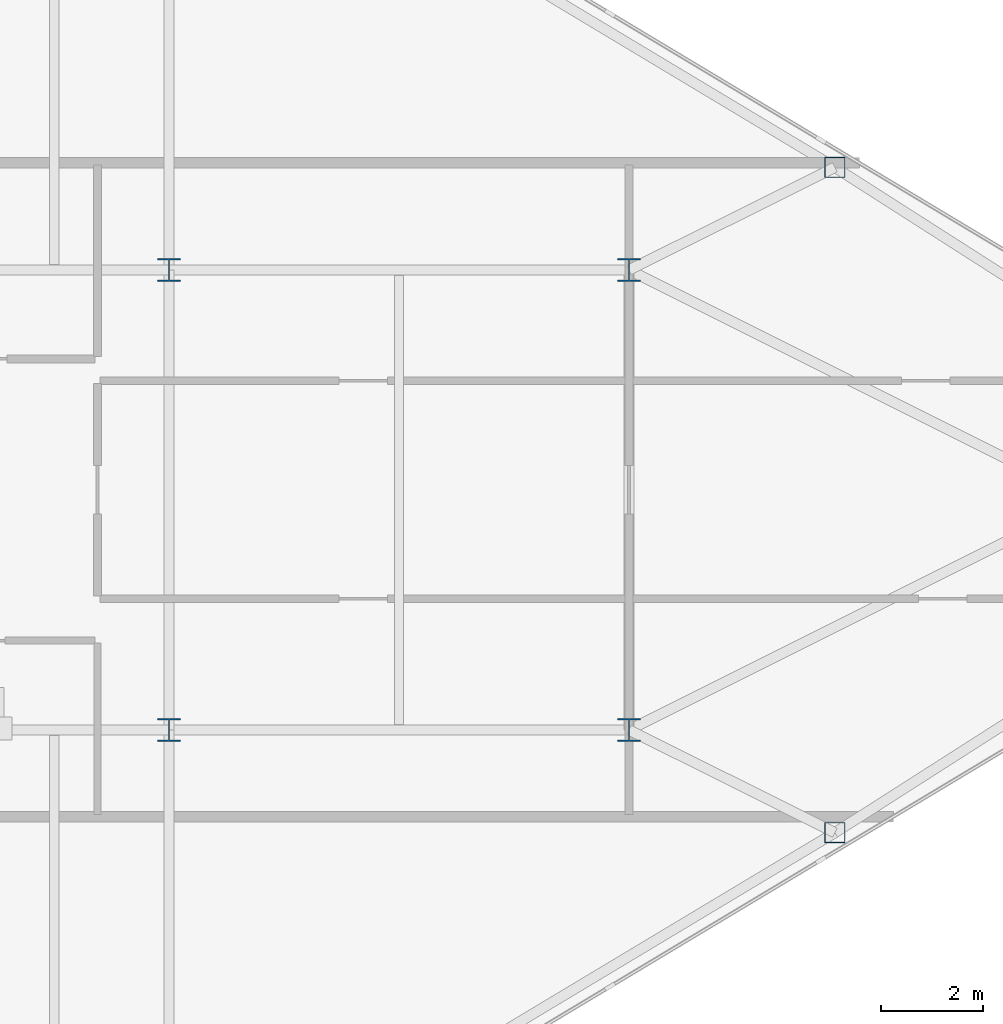
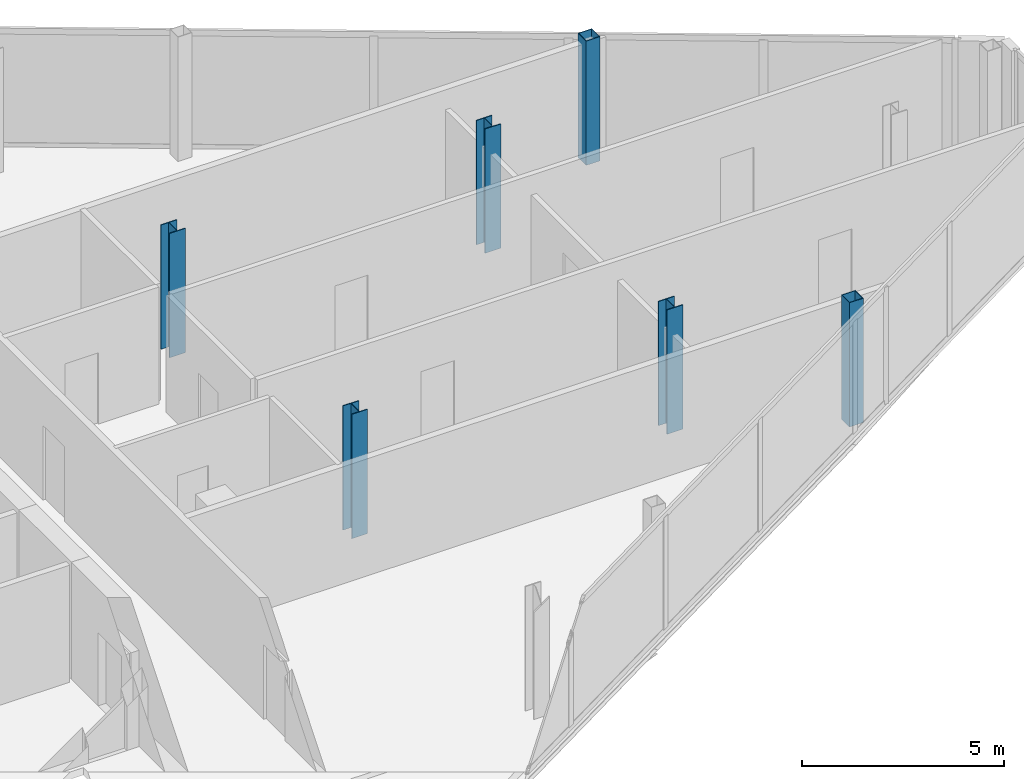
# One storey, part 5 of 29: 6 columns.
"""IFC4 building model written with IfcOpenShell, lengths in metres."""

from ifc_helpers import new_model, si_unit, direction, frame, origin, origin_2d, place, context, subcontext, project, spatial, hollow_rectangle, i_section, extrude, source, transform, mapped, material, material_profile, profile_set, type_object, type_shapes, element, save


model = new_model("IFC4")

# Units and contexts
model_context = context("Model", 3, precision=1e-05, world=origin(), true_north=direction((0.0, 1.0)))
body_context = subcontext(model_context, "Body", "Model", "MODEL_VIEW")
ifc_project = project(units=[si_unit("LENGTHUNIT", "METRE"), si_unit("AREAUNIT", "SQUARE_METRE"), si_unit("VOLUMEUNIT", "CUBIC_METRE"), si_unit("PLANEANGLEUNIT", "RADIAN"), si_unit("MASSUNIT", "GRAM", prefix="KILO")], contexts=[model_context])

# Site, building, storey
site_placement = place(None, origin())
site = spatial("IfcSite", under=ifc_project, at=site_placement, CompositionType="ELEMENT")
building_placement = place(site_placement, origin())
building = spatial("IfcBuilding", under=site, at=building_placement, Name="Seokmaru Belvedere", CompositionType="ELEMENT")
storey_placement = place(building_placement, frame((0.0, 0.0, 239.39990234375)))
storey = spatial("IfcBuildingStorey", under=building, at=storey_placement, Name="L63", CompositionType="ELEMENT", Elevation=239.39990234375)

# Columns
ifc_material = material(Name="Steel SM355 (355 MPa)", Category="steel")
ifc_material_profile_1 = material_profile(ifc_material, i_section(OverallWidth=0.449951171875, OverallDepth=0.449951171875, WebThickness=0.01611328125, FlangeThickness=0.02490234375, at=origin_2d()), Name="H-450x450x16x25")
ifc_profile_set_1 = profile_set([ifc_material_profile_1], Name="Steel SM355 (355 MPa)")
column_type_1 = type_object("IfcColumnType", Name="Sky-Gate Column H-450", PredefinedType="COLUMN", material=ifc_profile_set_1)
shared_shape_1 = source(origin(), body_context, "Body", "SweptSolid", [
    extrude(i_section(OverallWidth=0.449951171875, OverallDepth=0.449951171875, WebThickness=0.01611328125, FlangeThickness=0.02490234375, at=origin_2d()), origin(), (0.0, 0.0, 1.0), 3.75),
])
type_shapes(column_type_1, [shared_shape_1])
for number, where, z_axis, x_axis, name in (
    (1, (45.5, -4.5, 0.0), (0.0, 0.0, 1.0), (1.0, 0.0, 0.0), "L63 Column EG5_2"),
    (2, (45.5, 4.5, 0.0), (0.0, 0.0, 1.0), (1.0, 0.0, 0.0), "L63 Column EG5_3"),
    (3, (54.5, -4.5, 0.0), (0.0, 0.0, 1.0), (1.0, 0.0, 0.0), "L63 Column EG4P_1"),
    (4, (54.5, 4.5, 0.0), (0.0, 0.0, 1.0), (1.0, 0.0, 0.0), "L63 Column EG4P_2"),
):
    element("IfcColumn", number, at=place(storey_placement, frame(where, z_axis=z_axis, x_axis=x_axis)), inside=storey, type_object=column_type_1, Name=name, PredefinedType="COLUMN", context=body_context, shape_type="MappedRepresentation", body=[
        mapped(shared_shape_1, transform((0.0, 0.0, 0.0), scale=1.0)),
    ])
ifc_material_profile_2 = material_profile(ifc_material, hollow_rectangle(XDim=0.39990234375, YDim=0.39990234375, WallThickness=0.01611328125, at=origin_2d()), Name="HSS-400x400x16")
ifc_profile_set_2 = profile_set([ifc_material_profile_2], Name="Steel SM355 (355 MPa)")
column_type_2 = type_object("IfcColumnType", Name="Perimeter Facet Column HSS-400", PredefinedType="COLUMN", material=ifc_profile_set_2)
shared_shape_2 = source(origin(), body_context, "Body", "SweptSolid", [
    extrude(hollow_rectangle(XDim=0.39990234375, YDim=0.39990234375, WallThickness=0.01611328125, at=origin_2d()), origin(), (0.0, 0.0, 1.0), 3.75),
])
type_shapes(column_type_2, [shared_shape_2])
for number, where, z_axis, x_axis, name in (
    (5, (58.530029296875, -6.5087890625, 0.0), (0.0, 0.0, 1.0), (1.0, 0.0, 0.0), "L63 Column EFLK_S3"),
    (6, (58.530029296875, 6.5087890625, 0.0), (0.0, 0.0, 1.0), (1.0, 0.0, 0.0), "L63 Column EFLK_N3"),
):
    element("IfcColumn", number, at=place(storey_placement, frame(where, z_axis=z_axis, x_axis=x_axis)), inside=storey, type_object=column_type_2, Name=name, PredefinedType="COLUMN", context=body_context, shape_type="MappedRepresentation", body=[
        mapped(shared_shape_2, transform((0.0, 0.0, 0.0), scale=1.0)),
    ])

save(model, "model.ifc")
